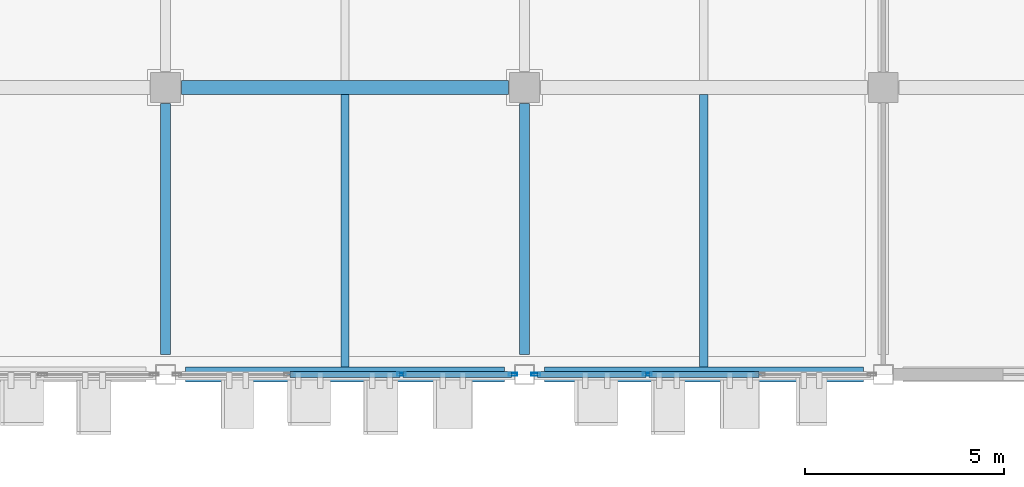
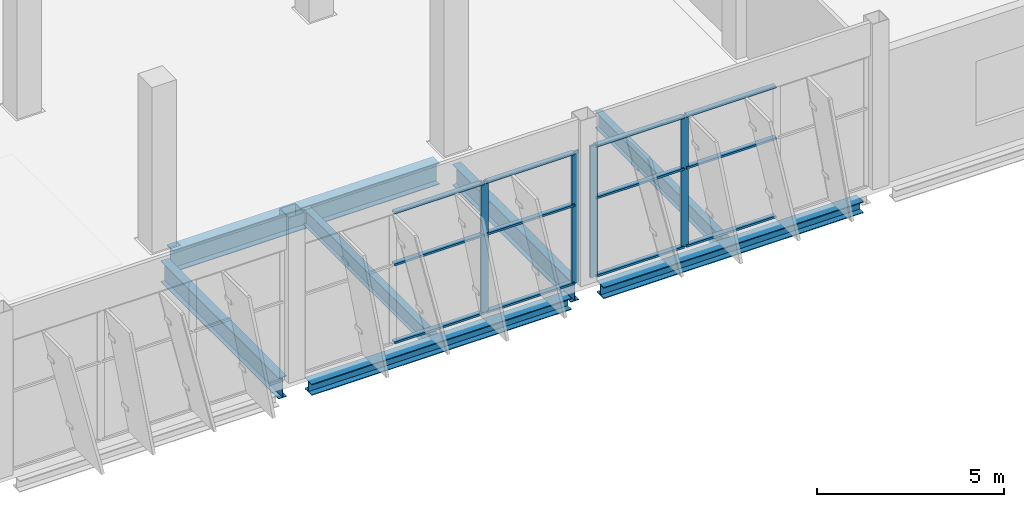
# One storey, part 65 of 137: 16 members, 7 beams, 2 elements without a shape of their own.
"""IFC4 building model written with IfcOpenShell, lengths in metres."""

import ifcopenshell
import ifcopenshell.guid

model = None  # the IFC model being written
_history = None  # IfcOwnerHistory: only IFC2X3 demands one
_inside = {}  # id of a spatial element -> (the spatial element, [elements in it])
_under = {}  # id of a project, library or spatial element -> (it, [spatial elements below it])
_declared = {}  # id of a project -> (the project, [libraries it declares])
_typed = {}  # id of a type object -> (the type object, [elements of that type])
_made_of = {}  # id of a material, layer set ... -> (it, [elements and type objects made of it])


def new_model(schema):
    """Start an empty IFC model of exactly this schema.

    Asked for "IFC4X3", IfcOpenShell would pick the latest addendum, in which some entities
    have other attributes; the version numbers below select the first issue.
    IFC2X3 requires an IfcOwnerHistory on every rooted entity: one is made here for all.
    """
    global model, _history
    if schema == "IFC4X3":
        model = ifcopenshell.file(schema_version=(4, 3, 0, 0))
    else:
        model = ifcopenshell.file(schema=schema)
    _inside.clear()
    _under.clear()
    _declared.clear()
    _typed.clear()
    _made_of.clear()
    _history = None
    if model.schema == "IFC2X3":
        org = make("IfcOrganization", Name="unknown")
        user = make(
            "IfcPersonAndOrganization",
            ThePerson=make("IfcPerson", FamilyName="unknown"),
            TheOrganization=org,
        )
        app = make(
            "IfcApplication",
            ApplicationDeveloper=org,
            Version="unknown",
            ApplicationFullName="unknown",
            ApplicationIdentifier="unknown",
        )
        _history = make(
            "IfcOwnerHistory",
            OwningUser=user,
            OwningApplication=app,
            ChangeAction="ADDED",
            CreationDate=0,
        )
    return model


def make(cls, **values):
    """One entity of the class cls with the attributes given. An attribute that is None is left unset."""
    return model.create_entity(
        cls, **{name: value for name, value in values.items() if value is not None}
    )


def rooted(cls, **values):
    """An entity with a GlobalId (a new one), such as an element, a storey or a relation."""
    return make(cls, GlobalId=ifcopenshell.guid.new(), OwnerHistory=_history, **values)


def si_unit(unit_type, name, prefix=None):
    """IfcSIUnit, for example si_unit("LENGTHUNIT", "METRE", prefix="MILLI")."""
    return make("IfcSIUnit", UnitType=unit_type, Prefix=prefix, Name=name)


def assignment(units):
    """IfcUnitAssignment: the units of a project."""
    return None if units is None else make("IfcUnitAssignment", Units=units)


def point(xyz):
    """IfcCartesianPoint."""
    return None if xyz is None else make("IfcCartesianPoint", Coordinates=xyz)


def direction(xyz):
    """IfcDirection."""
    return None if xyz is None else make("IfcDirection", DirectionRatios=xyz)


def frame(location, z_axis=None, x_axis=None):
    """IfcAxis2Placement3D, a coordinate frame: its origin and axes. An axis left out is left unset."""
    return make(
        "IfcAxis2Placement3D",
        Location=point(location),
        Axis=direction(z_axis),
        RefDirection=direction(x_axis),
    )


def frame_2d(location, x_axis=None):
    """IfcAxis2Placement2D, a coordinate frame in the plane: its origin and x axis."""
    return make(
        "IfcAxis2Placement2D", Location=point(location), RefDirection=direction(x_axis)
    )


def origin():
    """The frame at (0, 0, 0) with its axes left unset."""
    return frame((0.0, 0.0, 0.0))


def origin_2d():
    """The frame at (0, 0) in the plane with its x axis left unset."""
    return frame_2d((0.0, 0.0))


def place(relative_to, where):
    """IfcLocalPlacement: puts the frame where relative to a parent placement (None: the world)."""
    return make(
        "IfcLocalPlacement", PlacementRelTo=relative_to, RelativePlacement=where
    )


def context(
    kind, dimensions, precision=None, world=None, true_north=None, identifier=None
):
    """IfcGeometricRepresentationContext, for example the 3D "Model" context."""
    return make(
        "IfcGeometricRepresentationContext",
        ContextIdentifier=identifier,
        ContextType=kind,
        CoordinateSpaceDimension=dimensions,
        Precision=precision,
        WorldCoordinateSystem=world,
        TrueNorth=true_north,
    )


def subcontext(parent, identifier, kind, view, scale=None):
    """IfcGeometricRepresentationSubContext, for example "Body" below "Model"."""
    return make(
        "IfcGeometricRepresentationSubContext",
        ContextIdentifier=identifier,
        ContextType=kind,
        ParentContext=parent,
        TargetScale=scale,
        TargetView=view,
    )


def project(units=None, contexts=None):
    """IfcProject with its units and contexts."""
    return rooted(
        "IfcProject",
        Name="project",
        RepresentationContexts=contexts,
        UnitsInContext=assignment(units),
    )


def spatial(cls, under=None, at=None, **own):
    """A site, building, storey or space (cls), placed at a placement, below another one or the project."""
    s = rooted(cls, ObjectPlacement=at, **own)
    if under is not None:
        _under.setdefault(under.id(), (under, []))[1].append(s)
    return s


def profile(cls, at=None, kind="AREA", **sizes):
    """A parametric profile (cls). Its sizes go by their IFC names, for example OverallWidth=200.0."""
    return make(cls, ProfileType=kind, Position=at, **sizes)


def hollow_rectangle(**sizes):
    """IfcRectangleHollowProfileDef."""
    return profile("IfcRectangleHollowProfileDef", **sizes)


def i_section(**sizes):
    """IfcIShapeProfileDef."""
    return profile("IfcIShapeProfileDef", **sizes)


def extrude(swept, where, along, depth):
    """IfcExtrudedAreaSolid: the profile swept, set in the frame where, extruded along a direction by depth."""
    return make(
        "IfcExtrudedAreaSolid",
        SweptArea=swept,
        Position=where,
        ExtrudedDirection=direction(along),
        Depth=depth,
    )


def shape(context_of_items, identifier, shape_type, items):
    """IfcShapeRepresentation: the items that make up one representation, for example the "Body"."""
    return make(
        "IfcShapeRepresentation",
        ContextOfItems=context_of_items,
        RepresentationIdentifier=identifier,
        RepresentationType=shape_type,
        Items=items,
    )


def material(Name=None, Category=None):
    """IfcMaterial."""
    return make("IfcMaterial", Name=Name, Category=Category)


def layer(
    of_material, thickness, ventilated=None, Name=None, Category=None, Priority=None
):
    """IfcMaterialLayer: one layer of a wall or slab, of a material (None: an air gap)."""
    return make(
        "IfcMaterialLayer",
        Material=of_material,
        LayerThickness=thickness,
        IsVentilated=ventilated,
        Name=Name,
        Category=Category,
        Priority=Priority,
    )


def layer_set(layers, Name=None):
    """IfcMaterialLayerSet."""
    return make("IfcMaterialLayerSet", MaterialLayers=layers, LayerSetName=Name)


def material_profile(
    of_material, cross_section, Name=None, Category=None, Priority=None
):
    """IfcMaterialProfile: a cross section and its material."""
    return make(
        "IfcMaterialProfile",
        Name=Name,
        Material=of_material,
        Profile=cross_section,
        Priority=Priority,
        Category=Category,
    )


def profile_set(profiles, Name=None, composite=None):
    """IfcMaterialProfileSet."""
    return make(
        "IfcMaterialProfileSet",
        Name=Name,
        MaterialProfiles=profiles,
        CompositeProfile=composite,
    )


def made_of(thing, what):
    """Note that an element or type object is made of a material, layer set ...; save() writes the relation."""
    if what is not None:
        _made_of.setdefault(what.id(), (what, []))[1].append(thing)
    return thing


def type_object(cls, material=None, **own):
    """A type object (cls), such as IfcWallType, which elements share."""
    return made_of(rooted(cls, **own), material)


def element(
    cls,
    number,
    at=None,
    inside=None,
    cuts=None,
    type_object=None,
    material=None,
    context=None,
    identifier="Body",
    shape_type=None,
    held_by="IfcProductDefinitionShape",
    body=None,
    shapes=None,
    **own,
):
    """One element of the class cls, such as IfcWall. Its Tag is "e" and its number.

    at: its placement. inside: the storey or other place that contains it. cuts: it is an
    opening in that element (IfcRelVoidsElement). A single representation is given by context,
    identifier, shape_type and body (its items); several are given by shapes. held_by: the class
    of the entity that holds the representations. save() writes the other relations.
    """
    e = rooted(cls, Tag="e%d" % number, ObjectPlacement=at, **own)
    if body is not None:
        shapes = [shape(context, identifier, shape_type, body)]
    if shapes is not None:
        e.Representation = make(held_by, Representations=shapes)
    if inside is not None:
        _inside.setdefault(inside.id(), (inside, []))[1].append(e)
    if cuts is not None:
        rooted(
            "IfcRelVoidsElement", RelatingBuildingElement=cuts, RelatedOpeningElement=e
        )
    if type_object is not None:
        _typed.setdefault(type_object.id(), (type_object, []))[1].append(e)
    return made_of(e, material)


def aggregate(whole, parts):
    """IfcRelAggregates: a whole, such as a stair, and the parts it consists of."""
    return rooted("IfcRelAggregates", RelatingObject=whole, RelatedObjects=parts)


def save(model, path):
    """Write the relations noted so far, then the file.

    IfcRelAggregates (storeys below a building ...), IfcRelContainedInSpatialStructure (elements
    in a storey), IfcRelDefinesByType, IfcRelAssociatesMaterial and IfcRelDeclares: one each for
    every whole, place, type object, material and project.
    """
    for whole, parts in _under.values():
        aggregate(whole, parts)
    for where, things in _inside.values():
        rooted(
            "IfcRelContainedInSpatialStructure",
            RelatedElements=things,
            RelatingStructure=where,
        )
    for kind, things in _typed.values():
        rooted("IfcRelDefinesByType", RelatedObjects=things, RelatingType=kind)
    for what, things in _made_of.values():
        rooted("IfcRelAssociatesMaterial", RelatedObjects=things, RelatingMaterial=what)
    for by, libraries in _declared.values():
        rooted("IfcRelDeclares", RelatingContext=by, RelatedDefinitions=libraries)
    model.write(path)


model = new_model("IFC4")

# Units and contexts
model_context = context("Model", 3, precision=1e-05, world=origin(), true_north=direction((0.0, 1.0)))
body_context = subcontext(model_context, "Body", "Model", "MODEL_VIEW")
ifc_project = project(units=[si_unit("LENGTHUNIT", "METRE"), si_unit("AREAUNIT", "SQUARE_METRE"), si_unit("VOLUMEUNIT", "CUBIC_METRE"), si_unit("PLANEANGLEUNIT", "RADIAN"), si_unit("MASSUNIT", "GRAM", prefix="KILO")], contexts=[model_context])

# Site, building, storey
site_placement = place(None, origin())
site = spatial("IfcSite", under=ifc_project, at=site_placement, CompositionType="ELEMENT")
building_placement = place(site_placement, origin())
building = spatial("IfcBuilding", under=site, at=building_placement, Name="Celestram Park Convention Centre", CompositionType="ELEMENT")
storey_placement = place(building_placement, origin())
storey = spatial("IfcBuildingStorey", under=building, at=storey_placement, Name="L00", CompositionType="ELEMENT", Elevation=0.0)

# Curtain wall, members
ifc_material_1 = material(Name="Anodised Aluminium Alloy 6063-T6", Category="aluminium")
ifc_layer = layer(ifc_material_1, 0.179931640625)
ifc_layer_set = layer_set([ifc_layer], Name="Anodised Aluminium Alloy 6063-T6")
curtain_wall_type = type_object("IfcCurtainWallType", Name="ARC-CW-850X430", PredefinedType="NOTDEFINED", material=ifc_layer_set)
curtain_wall_1_placement = place(storey_placement, origin())
curtain_wall_1 = element("IfcCurtainWall", 1, at=curtain_wall_1_placement, inside=storey, type_object=curtain_wall_type, Name="Unitised curtain wall CU-L00-001", PredefinedType="NOTDEFINED")
ifc_material_profile_1 = material_profile(ifc_material_1, hollow_rectangle(XDim=0.074951171875, YDim=0.219970703125, WallThickness=0.00390625, at=origin_2d()), Name="ALU75X220X4")
ifc_profile_set_1 = profile_set([ifc_material_profile_1], Name="Anodised Aluminium Alloy 6063-T6")
member_type_1 = type_object("IfcMemberType", Name="ARC-CWM-180", PredefinedType="MULLION", material=ifc_profile_set_1)
member_1_placement = place(storey_placement, frame((174.082763671875, 115.199951171875, 0.0), z_axis=(0.0, 0.0, 1.0), x_axis=(0.0, -1.0, 0.0)))
member_1 = element("IfcMember", 2, at=member_1_placement, type_object=member_type_1, Name="CW-85X43 mullion 3", PredefinedType="MULLION", context=body_context, shape_type="SweptSolid", body=[
    extrude(hollow_rectangle(XDim=0.074951171875, YDim=0.219970703125, WallThickness=0.00390625, at=origin_2d()), origin(), (0.0, 0.0, 1.0), 4.297119140625),
])
member_2_placement = place(storey_placement, frame((171.285400390625, 115.199951171875, 0.0), z_axis=(0.0, 0.0, 1.0), x_axis=(0.0, -1.0, 0.0)))
member_2 = element("IfcMember", 3, at=member_2_placement, type_object=member_type_1, Name="CW-85X43 mullion 4", PredefinedType="MULLION", context=body_context, shape_type="SweptSolid", body=[
    extrude(hollow_rectangle(XDim=0.074951171875, YDim=0.219970703125, WallThickness=0.00390625, at=origin_2d()), origin(), (0.0, 0.0, 1.0), 4.297119140625),
])

curtain_wall_2_placement = place(storey_placement, origin())
curtain_wall_2 = element("IfcCurtainWall", 4, at=curtain_wall_2_placement, inside=storey, type_object=curtain_wall_type, Name="Unitised curtain wall CU-L00-002", PredefinedType="NOTDEFINED")
member_3_placement = place(storey_placement, frame((170.714599609375, 115.199951171875, 0.0), z_axis=(0.0, 0.0, 1.0), x_axis=(0.0, -1.0, 0.0)))
member_3 = element("IfcMember", 5, at=member_3_placement, type_object=member_type_1, Name="CW-85X43 mullion 1", PredefinedType="MULLION", context=body_context, shape_type="SweptSolid", body=[
    extrude(hollow_rectangle(XDim=0.074951171875, YDim=0.219970703125, WallThickness=0.00390625, at=origin_2d()), origin(), (0.0, 0.0, 1.0), 4.297119140625),
])
member_4_placement = place(storey_placement, frame((167.917236328125, 115.199951171875, 0.0), z_axis=(0.0, 0.0, 1.0), x_axis=(0.0, -1.0, 0.0)))
member_4 = element("IfcMember", 6, at=member_4_placement, type_object=member_type_1, Name="CW-85X43 mullion 2", PredefinedType="MULLION", context=body_context, shape_type="SweptSolid", body=[
    extrude(hollow_rectangle(XDim=0.074951171875, YDim=0.219970703125, WallThickness=0.00390625, at=origin_2d()), origin(), (0.0, 0.0, 1.0), 4.297119140625),
])

# Member
ifc_material_profile_2 = material_profile(ifc_material_1, hollow_rectangle(XDim=0.14990234375, YDim=0.06494140625, WallThickness=0.0029296875, at=origin_2d()), Name="ALU150X65X3")
ifc_profile_set_2 = profile_set([ifc_material_profile_2], Name="Anodised Aluminium Alloy 6063-T6")
member_type_2 = type_object("IfcMemberType", Name="ARC-CWT-150", PredefinedType="USERDEFINED", material=ifc_profile_set_2)
member_5_placement = place(storey_placement, frame((176.8798828125, 115.199951171875, 0.032470703125), z_axis=(-1.0, 0.0, 0.0), x_axis=(0.0, -1.0, 0.0)))
member_5 = element("IfcMember", 7, at=member_5_placement, type_object=member_type_2, Name="CW-85X43 transom 2.1", ObjectType="TRANSOM", PredefinedType="USERDEFINED", context=body_context, shape_type="SweptSolid", body=[
    extrude(hollow_rectangle(XDim=0.14990234375, YDim=0.06494140625, WallThickness=0.0029296875, at=origin_2d()), origin(), (0.0, 0.0, 1.0), 2.759765625),
])

member_6_placement = place(storey_placement, frame((176.8798828125, 115.199951171875, 2.577880859375), z_axis=(-1.0, 0.0, 0.0), x_axis=(0.0, -1.0, 0.0)))
member_6 = element("IfcMember", 8, at=member_6_placement, type_object=member_type_2, Name="CW-85X43 transom 2.2", ObjectType="TRANSOM", PredefinedType="USERDEFINED", context=body_context, shape_type="SweptSolid", body=[
    extrude(hollow_rectangle(XDim=0.14990234375, YDim=0.06494140625, WallThickness=0.0029296875, at=origin_2d()), origin(), (0.0, 0.0, 1.0), 2.759765625),
])

member_7_placement = place(storey_placement, frame((176.8798828125, 115.199951171875, 4.264404296875), z_axis=(-1.0, 0.0, 0.0), x_axis=(0.0, -1.0, 0.0)))
member_7 = element("IfcMember", 9, at=member_7_placement, type_object=member_type_2, Name="CW-85X43 transom 2.3", ObjectType="TRANSOM", PredefinedType="USERDEFINED", context=body_context, shape_type="SweptSolid", body=[
    extrude(hollow_rectangle(XDim=0.14990234375, YDim=0.06494140625, WallThickness=0.0029296875, at=origin_2d()), origin(), (0.0, 0.0, 1.0), 2.759765625),
])

member_8_placement = place(storey_placement, frame((174.045166015625, 115.199951171875, 0.032470703125), z_axis=(-1.0, 0.0, 0.0), x_axis=(0.0, -1.0, 0.0)))
member_8 = element("IfcMember", 10, at=member_8_placement, type_object=member_type_2, Name="CW-85X43 transom 3.1", ObjectType="TRANSOM", PredefinedType="USERDEFINED", context=body_context, shape_type="SweptSolid", body=[
    extrude(hollow_rectangle(XDim=0.14990234375, YDim=0.06494140625, WallThickness=0.0029296875, at=origin_2d()), origin(), (0.0, 0.0, 1.0), 2.72216796875),
])

member_9_placement = place(storey_placement, frame((174.045166015625, 115.199951171875, 2.577880859375), z_axis=(-1.0, 0.0, 0.0), x_axis=(0.0, -1.0, 0.0)))
member_9 = element("IfcMember", 11, at=member_9_placement, type_object=member_type_2, Name="CW-85X43 transom 3.2", ObjectType="TRANSOM", PredefinedType="USERDEFINED", context=body_context, shape_type="SweptSolid", body=[
    extrude(hollow_rectangle(XDim=0.14990234375, YDim=0.06494140625, WallThickness=0.0029296875, at=origin_2d()), origin(), (0.0, 0.0, 1.0), 2.72216796875),
])

member_10_placement = place(storey_placement, frame((174.045166015625, 115.199951171875, 4.264404296875), z_axis=(-1.0, 0.0, 0.0), x_axis=(0.0, -1.0, 0.0)))
member_10 = element("IfcMember", 12, at=member_10_placement, type_object=member_type_2, Name="CW-85X43 transom 3.3", ObjectType="TRANSOM", PredefinedType="USERDEFINED", context=body_context, shape_type="SweptSolid", body=[
    extrude(hollow_rectangle(XDim=0.14990234375, YDim=0.06494140625, WallThickness=0.0029296875, at=origin_2d()), origin(), (0.0, 0.0, 1.0), 2.72216796875),
])

aggregate(curtain_wall_1, [member_1, member_2, member_5, member_6, member_7, member_8, member_9, member_10])

member_11_placement = place(storey_placement, frame((170.677001953125, 115.199951171875, 0.032470703125), z_axis=(-1.0, 0.0, 0.0), x_axis=(0.0, -1.0, 0.0)))
member_11 = element("IfcMember", 13, at=member_11_placement, type_object=member_type_2, Name="CW-85X43 transom 1.1", ObjectType="TRANSOM", PredefinedType="USERDEFINED", context=body_context, shape_type="SweptSolid", body=[
    extrude(hollow_rectangle(XDim=0.14990234375, YDim=0.06494140625, WallThickness=0.0029296875, at=origin_2d()), origin(), (0.0, 0.0, 1.0), 2.72216796875),
])

member_12_placement = place(storey_placement, frame((170.677001953125, 115.199951171875, 2.577880859375), z_axis=(-1.0, 0.0, 0.0), x_axis=(0.0, -1.0, 0.0)))
member_12 = element("IfcMember", 14, at=member_12_placement, type_object=member_type_2, Name="CW-85X43 transom 1.2", ObjectType="TRANSOM", PredefinedType="USERDEFINED", context=body_context, shape_type="SweptSolid", body=[
    extrude(hollow_rectangle(XDim=0.14990234375, YDim=0.06494140625, WallThickness=0.0029296875, at=origin_2d()), origin(), (0.0, 0.0, 1.0), 2.72216796875),
])

member_13_placement = place(storey_placement, frame((170.677001953125, 115.199951171875, 4.264404296875), z_axis=(-1.0, 0.0, 0.0), x_axis=(0.0, -1.0, 0.0)))
member_13 = element("IfcMember", 15, at=member_13_placement, type_object=member_type_2, Name="CW-85X43 transom 1.3", ObjectType="TRANSOM", PredefinedType="USERDEFINED", context=body_context, shape_type="SweptSolid", body=[
    extrude(hollow_rectangle(XDim=0.14990234375, YDim=0.06494140625, WallThickness=0.0029296875, at=origin_2d()), origin(), (0.0, 0.0, 1.0), 2.72216796875),
])

member_14_placement = place(storey_placement, frame((167.8798828125, 115.199951171875, 0.032470703125), z_axis=(-1.0, 0.0, 0.0), x_axis=(0.0, -1.0, 0.0)))
member_14 = element("IfcMember", 16, at=member_14_placement, type_object=member_type_2, Name="CW-85X43 transom 2.1", ObjectType="TRANSOM", PredefinedType="USERDEFINED", context=body_context, shape_type="SweptSolid", body=[
    extrude(hollow_rectangle(XDim=0.14990234375, YDim=0.06494140625, WallThickness=0.0029296875, at=origin_2d()), origin(), (0.0, 0.0, 1.0), 2.759765625),
])

member_15_placement = place(storey_placement, frame((167.8798828125, 115.199951171875, 2.577880859375), z_axis=(-1.0, 0.0, 0.0), x_axis=(0.0, -1.0, 0.0)))
member_15 = element("IfcMember", 17, at=member_15_placement, type_object=member_type_2, Name="CW-85X43 transom 2.2", ObjectType="TRANSOM", PredefinedType="USERDEFINED", context=body_context, shape_type="SweptSolid", body=[
    extrude(hollow_rectangle(XDim=0.14990234375, YDim=0.06494140625, WallThickness=0.0029296875, at=origin_2d()), origin(), (0.0, 0.0, 1.0), 2.759765625),
])

member_16_placement = place(storey_placement, frame((167.8798828125, 115.199951171875, 4.264404296875), z_axis=(-1.0, 0.0, 0.0), x_axis=(0.0, -1.0, 0.0)))
member_16 = element("IfcMember", 18, at=member_16_placement, type_object=member_type_2, Name="CW-85X43 transom 2.3", ObjectType="TRANSOM", PredefinedType="USERDEFINED", context=body_context, shape_type="SweptSolid", body=[
    extrude(hollow_rectangle(XDim=0.14990234375, YDim=0.06494140625, WallThickness=0.0029296875, at=origin_2d()), origin(), (0.0, 0.0, 1.0), 2.759765625),
])

aggregate(curtain_wall_2, [member_3, member_4, member_11, member_12, member_13, member_14, member_15, member_16])

# Beams
ifc_material_2 = material(Name="Steel ASTM A992 Grade 50", Category="steel")
ifc_material_profile_3 = material_profile(ifc_material_2, i_section(OverallWidth=0.35595703125, OverallDepth=0.696044921875, WebThickness=0.015380859375, FlangeThickness=0.02490234375, at=origin_2d()), Name="W27X146")
ifc_profile_set_3 = profile_set([ifc_material_profile_3], Name="Steel ASTM A992 Grade 50")
beam_type_1 = type_object("IfcBeamType", Name="STR-BM-W27X146", PredefinedType="BEAM", material=ifc_profile_set_3)
beam_placement = place(storey_placement, frame((162.39794921875, 122.39990234375, -0.66796875), z_axis=(1.0, 0.0, 0.0), x_axis=(0.0, 1.0, 0.0)))
element("IfcBeam", 19, at=beam_placement, inside=storey, type_object=beam_type_1, Name="Primary X-girder BG-L00-0730", PredefinedType="BEAM", context=body_context, shape_type="SweptSolid", body=[
    extrude(i_section(OverallWidth=0.35595703125, OverallDepth=0.696044921875, WebThickness=0.015380859375, FlangeThickness=0.02490234375, at=origin_2d()), origin(), (0.0, 0.0, 1.0), 8.2041015625),
])
ifc_material_profile_4 = material_profile(ifc_material_2, i_section(OverallWidth=0.25390625, OverallDepth=0.68310546875, WebThickness=0.012451171875, FlangeThickness=0.01904296875, at=origin_2d()), Name="W27X94")
ifc_profile_set_4 = profile_set([ifc_material_profile_4], Name="Steel ASTM A992 Grade 50")
beam_type_2 = type_object("IfcBeamType", Name="STR-BM-W27X94", PredefinedType="BEAM", material=ifc_profile_set_4)
for number, where, z_axis, x_axis, name in (
    (20, (162.0, 115.697998046875, -0.66162109375), (0.0, 1.0, 0.0), (-1.0, 0.0, 0.0), "Primary Y-girder BG-L00-0729"),
    (21, (171.0, 115.697998046875, -0.66162109375), (0.0, 1.0, 0.0), (-1.0, 0.0, 0.0), "Primary Y-girder BG-L00-0755"),
):
    element("IfcBeam", number, at=place(storey_placement, frame(where, z_axis=z_axis, x_axis=x_axis)), inside=storey, type_object=beam_type_2, Name=name, PredefinedType="BEAM", context=body_context, shape_type="SweptSolid", body=[
        extrude(i_section(OverallWidth=0.25390625, OverallDepth=0.68310546875, WebThickness=0.012451171875, FlangeThickness=0.01904296875, at=origin_2d()), origin(), (0.0, 0.0, 1.0), 6.303955078125),
    ])
ifc_material_profile_5 = material_profile(ifc_material_2, i_section(OverallWidth=0.2099609375, OverallDepth=0.532958984375, WebThickness=0.01025390625, FlangeThickness=0.015625, at=origin_2d()), Name="W21X62")
ifc_profile_set_5 = profile_set([ifc_material_profile_5], Name="Steel ASTM A992 Grade 50")
beam_type_3 = type_object("IfcBeamType", Name="STR-JST-W21X62", PredefinedType="JOIST", material=ifc_profile_set_5)
for number, where, z_axis, x_axis, name in (
    (22, (166.5, 115.382080078125, -0.58642578125), (0.0, 1.0, 0.0), (-1.0, 0.0, 0.0), "Secondary composite joist BG-L00-1189"),
    (23, (175.5, 115.382080078125, -0.58642578125), (0.0, 1.0, 0.0), (-1.0, 0.0, 0.0), "Secondary composite joist BG-L00-1201"),
):
    element("IfcBeam", number, at=place(storey_placement, frame(where, z_axis=z_axis, x_axis=x_axis)), inside=storey, type_object=beam_type_3, Name=name, PredefinedType="JOIST", context=body_context, shape_type="SweptSolid", body=[
        extrude(i_section(OverallWidth=0.2099609375, OverallDepth=0.532958984375, WebThickness=0.01025390625, FlangeThickness=0.015625, at=origin_2d()), origin(), (0.0, 0.0, 1.0), 6.843994140625),
    ])
ifc_material_profile_6 = material_profile(ifc_material_2, i_section(OverallWidth=0.373046875, OverallDepth=0.373046875, WebThickness=0.016357421875, FlangeThickness=0.026123046875, at=origin_2d()), Name="W14X132")
ifc_profile_set_6 = profile_set([ifc_material_profile_6], Name="Steel ASTM A992 Grade 50")
beam_type_4 = type_object("IfcBeamType", Name="STR-SPN-W14X132", PredefinedType="SPANDREL", material=ifc_profile_set_6)
for number, where, z_axis, x_axis, name in (
    (24, (162.498046875, 115.199951171875, -0.506591796875), (1.0, 0.0, 0.0), (0.0, 1.0, 0.0), "Primary X-girder BG-L00-0728"),
    (25, (171.498046875, 115.199951171875, -0.506591796875), (1.0, 0.0, 0.0), (0.0, 1.0, 0.0), "Primary X-girder BG-L00-0754"),
):
    element("IfcBeam", number, at=place(storey_placement, frame(where, z_axis=z_axis, x_axis=x_axis)), inside=storey, type_object=beam_type_4, Name=name, PredefinedType="SPANDREL", context=body_context, shape_type="SweptSolid", body=[
        extrude(i_section(OverallWidth=0.373046875, OverallDepth=0.373046875, WebThickness=0.016357421875, FlangeThickness=0.026123046875, at=origin_2d()), origin(), (0.0, 0.0, 1.0), 8.00390625),
    ])

save(model, "model.ifc")
